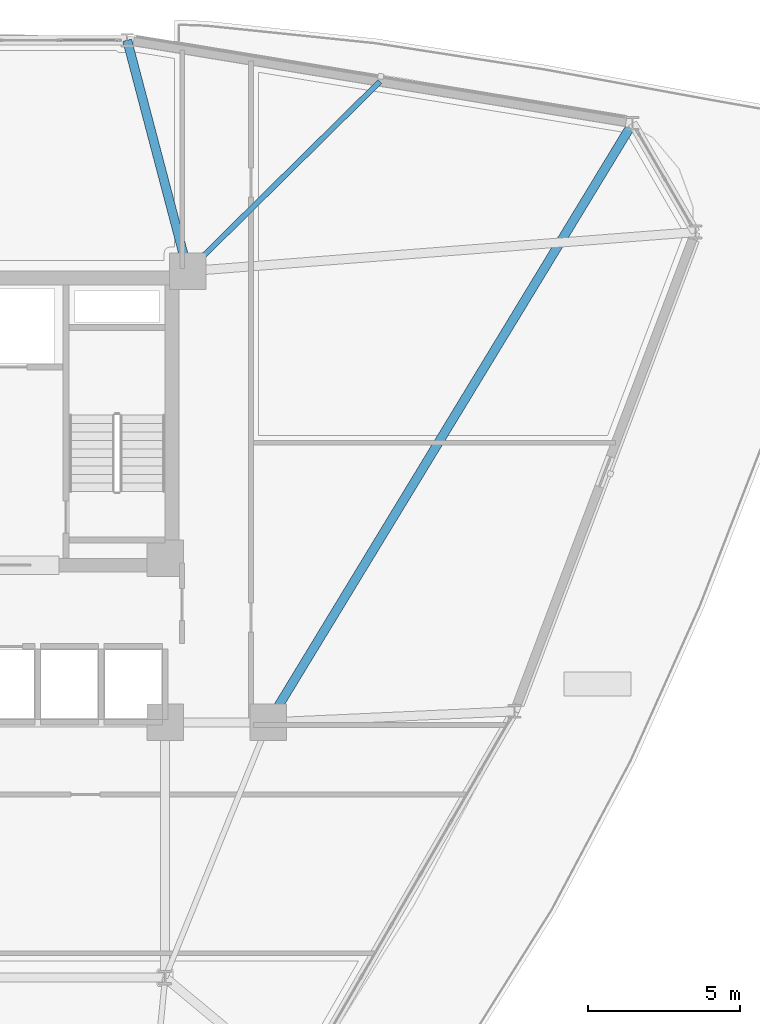
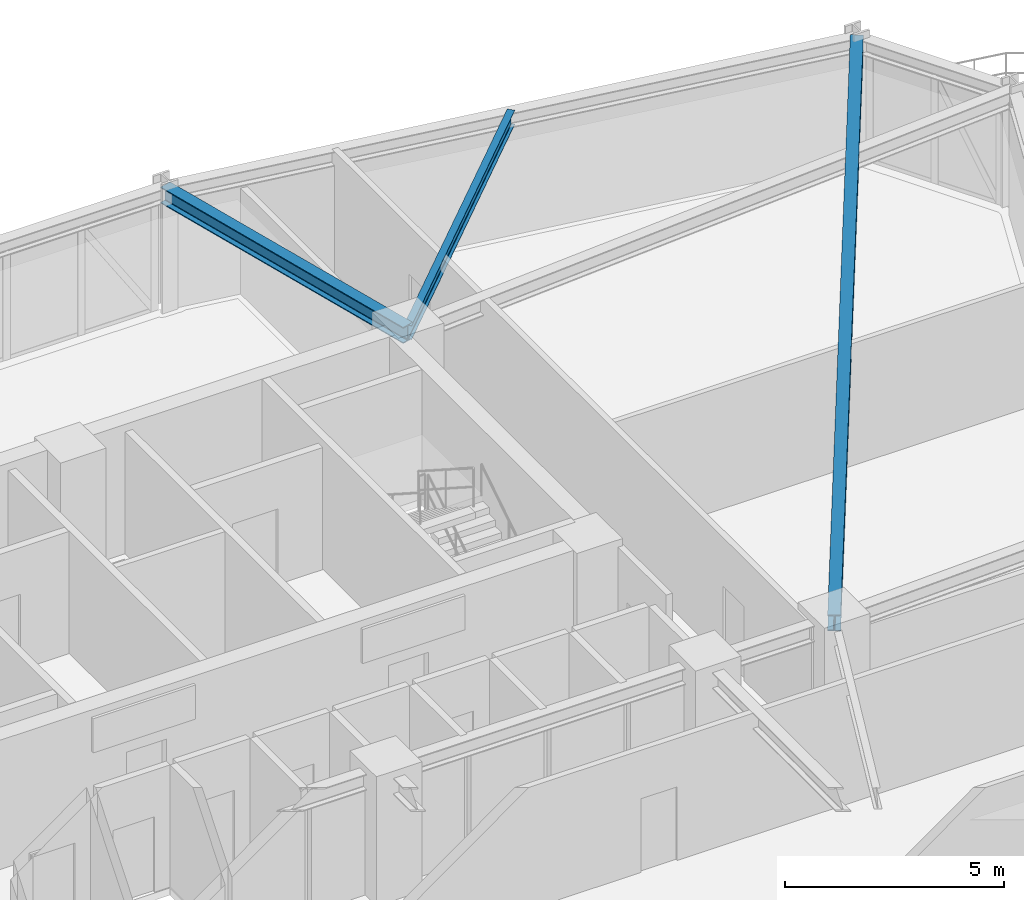
# One storey, part 12 of 23: 3 beams.
"""IFC4 building model written with IfcOpenShell, lengths in metres."""

import ifcopenshell
import ifcopenshell.guid

model = None  # the IFC model being written
_history = None  # IfcOwnerHistory: only IFC2X3 demands one
_inside = {}  # id of a spatial element -> (the spatial element, [elements in it])
_under = {}  # id of a project, library or spatial element -> (it, [spatial elements below it])
_declared = {}  # id of a project -> (the project, [libraries it declares])
_typed = {}  # id of a type object -> (the type object, [elements of that type])
_made_of = {}  # id of a material, layer set ... -> (it, [elements and type objects made of it])


def new_model(schema):
    """Start an empty IFC model of exactly this schema.

    Asked for "IFC4X3", IfcOpenShell would pick the latest addendum, in which some entities
    have other attributes; the version numbers below select the first issue.
    IFC2X3 requires an IfcOwnerHistory on every rooted entity: one is made here for all.
    """
    global model, _history
    if schema == "IFC4X3":
        model = ifcopenshell.file(schema_version=(4, 3, 0, 0))
    else:
        model = ifcopenshell.file(schema=schema)
    _inside.clear()
    _under.clear()
    _declared.clear()
    _typed.clear()
    _made_of.clear()
    _history = None
    if model.schema == "IFC2X3":
        org = make("IfcOrganization", Name="unknown")
        user = make(
            "IfcPersonAndOrganization",
            ThePerson=make("IfcPerson", FamilyName="unknown"),
            TheOrganization=org,
        )
        app = make(
            "IfcApplication",
            ApplicationDeveloper=org,
            Version="unknown",
            ApplicationFullName="unknown",
            ApplicationIdentifier="unknown",
        )
        _history = make(
            "IfcOwnerHistory",
            OwningUser=user,
            OwningApplication=app,
            ChangeAction="ADDED",
            CreationDate=0,
        )
    return model


def make(cls, **values):
    """One entity of the class cls with the attributes given. An attribute that is None is left unset."""
    return model.create_entity(
        cls, **{name: value for name, value in values.items() if value is not None}
    )


def rooted(cls, **values):
    """An entity with a GlobalId (a new one), such as an element, a storey or a relation."""
    return make(cls, GlobalId=ifcopenshell.guid.new(), OwnerHistory=_history, **values)


def si_unit(unit_type, name, prefix=None):
    """IfcSIUnit, for example si_unit("LENGTHUNIT", "METRE", prefix="MILLI")."""
    return make("IfcSIUnit", UnitType=unit_type, Prefix=prefix, Name=name)


def derived_unit(unit_type, elements):
    """IfcDerivedUnit: a product of units, each with its exponent."""
    return make(
        "IfcDerivedUnit",
        Elements=[
            make("IfcDerivedUnitElement", Unit=unit, Exponent=power)
            for unit, power in elements
        ],
        UnitType=unit_type,
    )


def assignment(units):
    """IfcUnitAssignment: the units of a project."""
    return None if units is None else make("IfcUnitAssignment", Units=units)


def point(xyz):
    """IfcCartesianPoint."""
    return None if xyz is None else make("IfcCartesianPoint", Coordinates=xyz)


def direction(xyz):
    """IfcDirection."""
    return None if xyz is None else make("IfcDirection", DirectionRatios=xyz)


def frame(location, z_axis=None, x_axis=None):
    """IfcAxis2Placement3D, a coordinate frame: its origin and axes. An axis left out is left unset."""
    return make(
        "IfcAxis2Placement3D",
        Location=point(location),
        Axis=direction(z_axis),
        RefDirection=direction(x_axis),
    )


def frame_2d(location, x_axis=None):
    """IfcAxis2Placement2D, a coordinate frame in the plane: its origin and x axis."""
    return make(
        "IfcAxis2Placement2D", Location=point(location), RefDirection=direction(x_axis)
    )


def origin():
    """The frame at (0, 0, 0) with its axes left unset."""
    return frame((0.0, 0.0, 0.0))


def origin_2d():
    """The frame at (0, 0) in the plane with its x axis left unset."""
    return frame_2d((0.0, 0.0))


def place(relative_to, where):
    """IfcLocalPlacement: puts the frame where relative to a parent placement (None: the world)."""
    return make(
        "IfcLocalPlacement", PlacementRelTo=relative_to, RelativePlacement=where
    )


def context(
    kind, dimensions, precision=None, world=None, true_north=None, identifier=None
):
    """IfcGeometricRepresentationContext, for example the 3D "Model" context."""
    return make(
        "IfcGeometricRepresentationContext",
        ContextIdentifier=identifier,
        ContextType=kind,
        CoordinateSpaceDimension=dimensions,
        Precision=precision,
        WorldCoordinateSystem=world,
        TrueNorth=true_north,
    )


def subcontext(parent, identifier, kind, view, scale=None):
    """IfcGeometricRepresentationSubContext, for example "Body" below "Model"."""
    return make(
        "IfcGeometricRepresentationSubContext",
        ContextIdentifier=identifier,
        ContextType=kind,
        ParentContext=parent,
        TargetScale=scale,
        TargetView=view,
    )


def project(units=None, contexts=None):
    """IfcProject with its units and contexts."""
    return rooted(
        "IfcProject",
        Name="project",
        RepresentationContexts=contexts,
        UnitsInContext=assignment(units),
    )


def spatial(cls, under=None, at=None, **own):
    """A site, building, storey or space (cls), placed at a placement, below another one or the project."""
    s = rooted(cls, ObjectPlacement=at, **own)
    if under is not None:
        _under.setdefault(under.id(), (under, []))[1].append(s)
    return s


def profile(cls, at=None, kind="AREA", **sizes):
    """A parametric profile (cls). Its sizes go by their IFC names, for example OverallWidth=200.0."""
    return make(cls, ProfileType=kind, Position=at, **sizes)


def i_section(**sizes):
    """IfcIShapeProfileDef."""
    return profile("IfcIShapeProfileDef", **sizes)


def extrude(swept, where, along, depth):
    """IfcExtrudedAreaSolid: the profile swept, set in the frame where, extruded along a direction by depth."""
    return make(
        "IfcExtrudedAreaSolid",
        SweptArea=swept,
        Position=where,
        ExtrudedDirection=direction(along),
        Depth=depth,
    )


def shape(context_of_items, identifier, shape_type, items):
    """IfcShapeRepresentation: the items that make up one representation, for example the "Body"."""
    return make(
        "IfcShapeRepresentation",
        ContextOfItems=context_of_items,
        RepresentationIdentifier=identifier,
        RepresentationType=shape_type,
        Items=items,
    )


def source(mapping_origin, context_of_items, identifier, shape_type, items):
    """IfcRepresentationMap: a shape defined once, which mapped items show again and again."""
    return make(
        "IfcRepresentationMap",
        MappingOrigin=mapping_origin,
        MappedRepresentation=shape(context_of_items, identifier, shape_type, items),
    )


def transform(
    local_origin,
    x_axis=None,
    y_axis=None,
    z_axis=None,
    scale=None,
    scale2=None,
    scale3=None,
    uniform=True,
):
    """IfcCartesianTransformationOperator3D, or its non-uniform kind. x_axis, y_axis, z_axis: its Axis1, 2, 3."""
    if uniform:
        return make(
            "IfcCartesianTransformationOperator3D",
            Axis1=direction(x_axis),
            Axis2=direction(y_axis),
            LocalOrigin=point(local_origin),
            Scale=scale,
            Axis3=direction(z_axis),
        )
    return make(
        "IfcCartesianTransformationOperator3DnonUniform",
        Axis1=direction(x_axis),
        Axis2=direction(y_axis),
        LocalOrigin=point(local_origin),
        Scale=scale,
        Axis3=direction(z_axis),
        Scale2=scale2,
        Scale3=scale3,
    )


def mapped(mapping_source, mapping_target):
    """IfcMappedItem: shows the shape of a source again, moved by a transform."""
    return make(
        "IfcMappedItem", MappingSource=mapping_source, MappingTarget=mapping_target
    )


def material(Name=None, Category=None):
    """IfcMaterial."""
    return make("IfcMaterial", Name=Name, Category=Category)


def material_profile(
    of_material, cross_section, Name=None, Category=None, Priority=None
):
    """IfcMaterialProfile: a cross section and its material."""
    return make(
        "IfcMaterialProfile",
        Name=Name,
        Material=of_material,
        Profile=cross_section,
        Priority=Priority,
        Category=Category,
    )


def profile_set(profiles, Name=None, composite=None):
    """IfcMaterialProfileSet."""
    return make(
        "IfcMaterialProfileSet",
        Name=Name,
        MaterialProfiles=profiles,
        CompositeProfile=composite,
    )


def made_of(thing, what):
    """Note that an element or type object is made of a material, layer set ...; save() writes the relation."""
    if what is not None:
        _made_of.setdefault(what.id(), (what, []))[1].append(thing)
    return thing


def type_object(cls, material=None, **own):
    """A type object (cls), such as IfcWallType, which elements share."""
    return made_of(rooted(cls, **own), material)


def element(
    cls,
    number,
    at=None,
    inside=None,
    cuts=None,
    type_object=None,
    material=None,
    context=None,
    identifier="Body",
    shape_type=None,
    held_by="IfcProductDefinitionShape",
    body=None,
    shapes=None,
    **own,
):
    """One element of the class cls, such as IfcWall. Its Tag is "e" and its number.

    at: its placement. inside: the storey or other place that contains it. cuts: it is an
    opening in that element (IfcRelVoidsElement). A single representation is given by context,
    identifier, shape_type and body (its items); several are given by shapes. held_by: the class
    of the entity that holds the representations. save() writes the other relations.
    """
    e = rooted(cls, Tag="e%d" % number, ObjectPlacement=at, **own)
    if body is not None:
        shapes = [shape(context, identifier, shape_type, body)]
    if shapes is not None:
        e.Representation = make(held_by, Representations=shapes)
    if inside is not None:
        _inside.setdefault(inside.id(), (inside, []))[1].append(e)
    if cuts is not None:
        rooted(
            "IfcRelVoidsElement", RelatingBuildingElement=cuts, RelatedOpeningElement=e
        )
    if type_object is not None:
        _typed.setdefault(type_object.id(), (type_object, []))[1].append(e)
    return made_of(e, material)


def aggregate(whole, parts):
    """IfcRelAggregates: a whole, such as a stair, and the parts it consists of."""
    return rooted("IfcRelAggregates", RelatingObject=whole, RelatedObjects=parts)


def save(model, path):
    """Write the relations noted so far, then the file.

    IfcRelAggregates (storeys below a building ...), IfcRelContainedInSpatialStructure (elements
    in a storey), IfcRelDefinesByType, IfcRelAssociatesMaterial and IfcRelDeclares: one each for
    every whole, place, type object, material and project.
    """
    for whole, parts in _under.values():
        aggregate(whole, parts)
    for where, things in _inside.values():
        rooted(
            "IfcRelContainedInSpatialStructure",
            RelatedElements=things,
            RelatingStructure=where,
        )
    for kind, things in _typed.values():
        rooted("IfcRelDefinesByType", RelatedObjects=things, RelatingType=kind)
    for what, things in _made_of.values():
        rooted("IfcRelAssociatesMaterial", RelatedObjects=things, RelatingMaterial=what)
    for by, libraries in _declared.values():
        rooted("IfcRelDeclares", RelatingContext=by, RelatedDefinitions=libraries)
    model.write(path)


model = new_model("IFC4")

# Units and contexts
model_context = context("Model", 3, precision=1e-05, world=origin(), true_north=direction((0.0, 1.0)))
body_context = subcontext(model_context, "Body", "Model", "MODEL_VIEW")
ifc_project = project(units=[si_unit("LENGTHUNIT", "METRE"), si_unit("AREAUNIT", "SQUARE_METRE"), si_unit("VOLUMEUNIT", "CUBIC_METRE"), si_unit("PLANEANGLEUNIT", "RADIAN"), si_unit("MASSUNIT", "GRAM", prefix="KILO"), derived_unit("THERMALTRANSMITTANCEUNIT", [(si_unit("POWERUNIT", "WATT"), 1), (si_unit("LENGTHUNIT", "METRE"), -2), (si_unit("THERMODYNAMICTEMPERATUREUNIT", "KELVIN"), -1)])], contexts=[model_context])

# Site, building, storey
site_placement = place(None, origin())
site = spatial("IfcSite", under=ifc_project, at=site_placement, CompositionType="ELEMENT")
building_placement = place(site_placement, origin())
building = spatial("IfcBuilding", under=site, at=building_placement, Name="Korsvarv Bourse and Concert Hall", CompositionType="ELEMENT")
storey_placement = place(building_placement, frame((0.0, 0.0, 99.0)))
storey = spatial("IfcBuildingStorey", under=building, at=storey_placement, Name="L24", CompositionType="ELEMENT", Elevation=99.0)

# Beams
ifc_material = material(Name="Steel S355", Category="steel")
ifc_material_profile_1 = material_profile(ifc_material, i_section(OverallWidth=0.300048828125, OverallDepth=0.449951171875, WebThickness=0.013916015625, FlangeThickness=0.02587890625, FilletRadius=0.02099609375, at=origin_2d()), Name="HEB 450")
ifc_profile_set_1 = profile_set([ifc_material_profile_1], Name="Steel S355")
beam_type_1 = type_object("IfcBeamType", Name="BM-HEB450", PredefinedType="SPANDREL", material=ifc_profile_set_1)
shared_shape_1 = source(origin(), body_context, "Body", "SweptSolid", [
    extrude(i_section(OverallWidth=0.300048828125, OverallDepth=0.449951171875, WebThickness=0.013916015625, FlangeThickness=0.02587890625, FilletRadius=0.02099609375, at=origin_2d()), origin(), (0.0, 0.0, 1.0), 23.07470703125),
])
beam_1_placement = place(storey_placement, frame((59.78271484375, 52.119384765625, 3.175048828125), z_axis=(-0.51929864667, -0.854592836131, 0.0), x_axis=(0.854592836131, -0.51929864667, 0.0)))
element("IfcBeam", 1, at=beam_1_placement, inside=storey, type_object=beam_type_1, Name="L24 beam B-08", PredefinedType="SPANDREL", context=body_context, shape_type="MappedRepresentation", body=[
    mapped(shared_shape_1, transform((0.0, 0.0, 0.0), scale=1.0)),
])
shared_shape_2 = source(origin(), body_context, "Body", "SweptSolid", [
    extrude(i_section(OverallWidth=0.300048828125, OverallDepth=0.449951171875, WebThickness=0.013916015625, FlangeThickness=0.02587890625, FilletRadius=0.02099609375, at=origin_2d()), origin(), (0.0, 0.0, 1.0), 7.8603515625),
])
beam_2_placement = place(storey_placement, frame((43.1494140625, 54.8515625, 3.175048828125), z_axis=(0.254502472315, -0.96707212326, 0.0), x_axis=(0.96707212326, 0.254502472315, 0.0)))
element("IfcBeam", 2, at=beam_2_placement, inside=storey, type_object=beam_type_1, Name="L24 beam B-08", PredefinedType="SPANDREL", context=body_context, shape_type="MappedRepresentation", body=[
    mapped(shared_shape_2, transform((0.0, 0.0, 0.0), scale=1.0)),
])
ifc_material_profile_2 = material_profile(ifc_material, i_section(OverallWidth=0.179931640625, OverallDepth=0.39990234375, WebThickness=0.008544921875, FlangeThickness=0.013427734375, FilletRadius=0.02099609375, at=origin_2d()), Name="IPE 400")
ifc_profile_set_2 = profile_set([ifc_material_profile_2], Name="Steel S355")
beam_type_2 = type_object("IfcBeamType", Name="BM-IPE400", PredefinedType="JOIST", material=ifc_profile_set_2)
shared_shape_3 = source(origin(), body_context, "Body", "SweptSolid", [
    extrude(i_section(OverallWidth=0.179931640625, OverallDepth=0.39990234375, WebThickness=0.008544921875, FlangeThickness=0.013427734375, FilletRadius=0.02099609375, at=origin_2d()), origin(), (0.0, 0.0, 1.0), 8.875732421875),
])
beam_3_placement = place(storey_placement, frame((51.466064453125, 53.485595703125, 3.199951171875), z_axis=(-0.711630852678, -0.702553577684, 0.0), x_axis=(0.702553577684, -0.711630852678, 0.0)))
element("IfcBeam", 3, at=beam_3_placement, inside=storey, type_object=beam_type_2, Name="L24 beam J-05", PredefinedType="JOIST", context=body_context, shape_type="MappedRepresentation", body=[
    mapped(shared_shape_3, transform((0.0, 0.0, 0.0), scale=1.0)),
])

save(model, "model.ifc")
